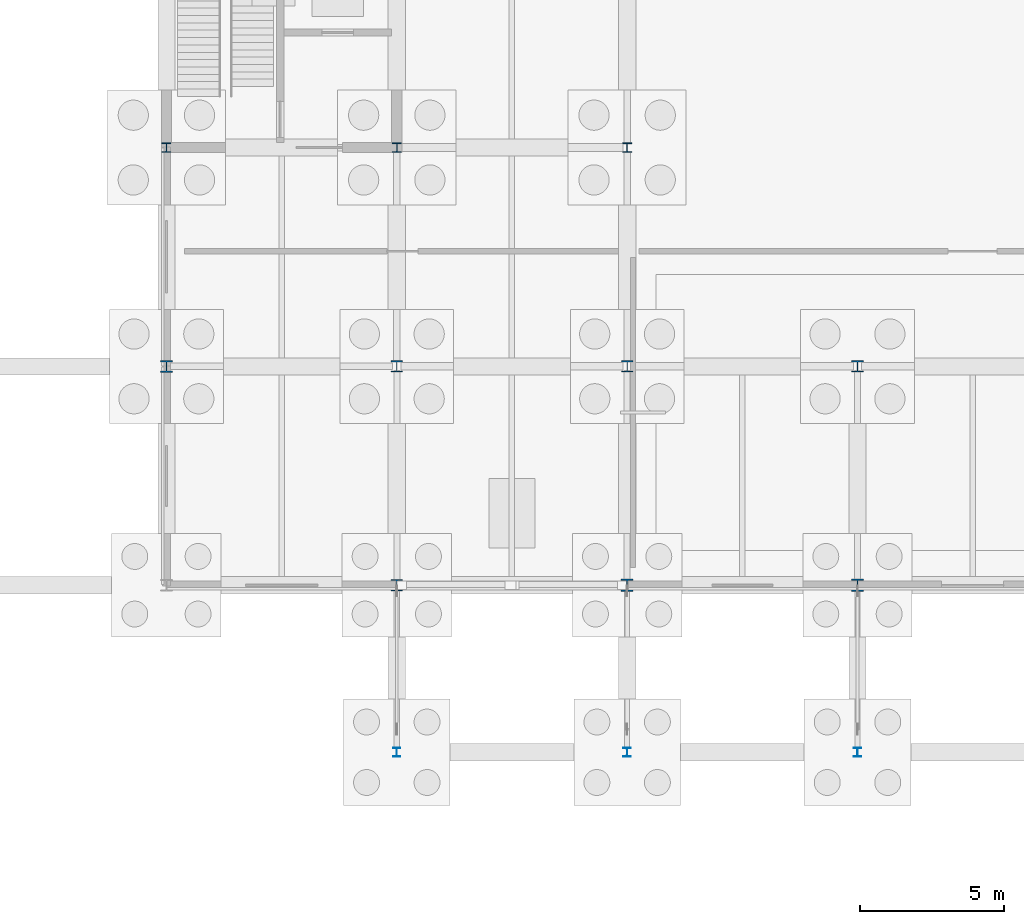
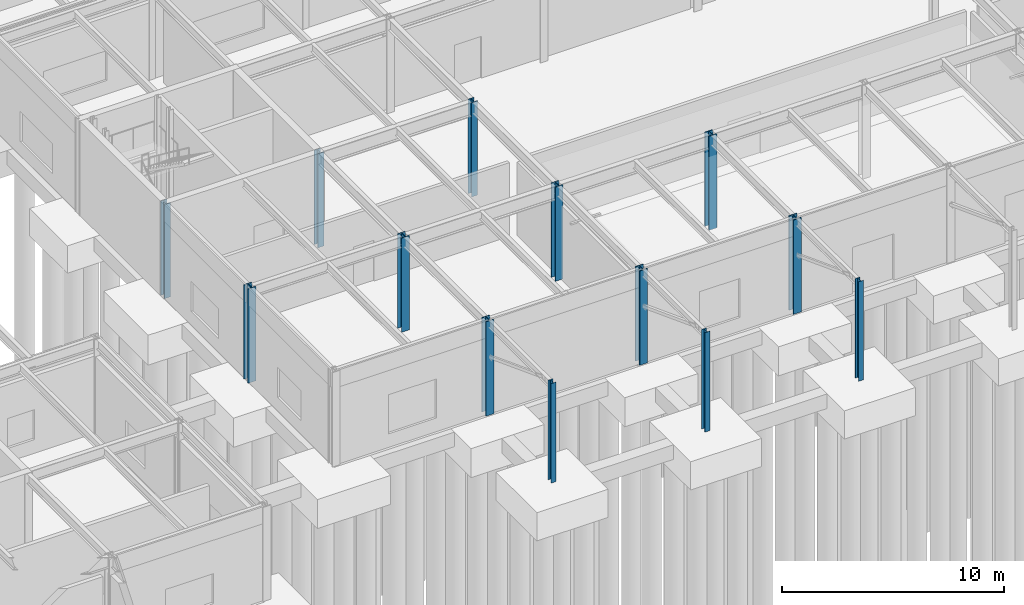
# One storey, part 15 of 62: 13 columns.
"""IFC4 building model written with IfcOpenShell, lengths in metres."""

from ifc_helpers import new_model, si_unit, direction, frame, origin, origin_2d, place, context, subcontext, project, spatial, i_section, extrude, material, material_profile, profile_set, type_object, element, save


model = new_model("IFC4")

# Units and contexts
model_context = context("Model", 3, precision=1e-05, world=origin(), true_north=direction((0.0, 1.0)))
body_context = subcontext(model_context, "Body", "Model", "MODEL_VIEW")
ifc_project = project(units=[si_unit("LENGTHUNIT", "METRE"), si_unit("AREAUNIT", "SQUARE_METRE"), si_unit("VOLUMEUNIT", "CUBIC_METRE"), si_unit("PLANEANGLEUNIT", "RADIAN"), si_unit("MASSUNIT", "GRAM", prefix="KILO")], contexts=[model_context])

# Site, building, storey
site_placement = place(None, origin())
site = spatial("IfcSite", under=ifc_project, at=site_placement, CompositionType="ELEMENT")
building_placement = place(site_placement, origin())
building = spatial("IfcBuilding", under=site, at=building_placement, Name="Zulena Civic Courthouse", CompositionType="ELEMENT")
storey_placement = place(building_placement, origin())
storey = spatial("IfcBuildingStorey", under=building, at=storey_placement, Name="L00", CompositionType="ELEMENT", Elevation=0.0)

# Columns
ifc_material = material(Name="Steel ASTM A992 Grade 50", Category="steel")
ifc_material_profile_1 = material_profile(ifc_material, i_section(OverallWidth=0.31298828125, OverallDepth=0.3330078125, WebThickness=0.01806640625, FlangeThickness=0.0283203125, FilletRadius=0.01513671875, at=origin_2d()), Name="W12X120")
ifc_profile_set_1 = profile_set([ifc_material_profile_1], Name="Steel ASTM A992 Grade 50")
column_type_1 = type_object("IfcColumnType", Name="Col_W12X120", PredefinedType="COLUMN", material=ifc_profile_set_1)
for number, where, z_axis, x_axis, name in (
    (1, (68.0, 30.39990234375, 0.0), (0.0, 0.0, 1.0), (1.0, 0.0, 0.0), "col:V4:L00:68.0:30.4"),
    (2, (76.0, 30.39990234375, 0.0), (0.0, 0.0, 1.0), (1.0, 0.0, 0.0), "col:V4:L00:76.0:30.4"),
    (3, (84.0, 30.39990234375, 0.0), (0.0, 0.0, 1.0), (1.0, 0.0, 0.0), "col:V4:L00:84.0:30.4"),
):
    element("IfcColumn", number, at=place(storey_placement, frame(where, z_axis=z_axis, x_axis=x_axis)), inside=storey, type_object=column_type_1, Name=name, PredefinedType="COLUMN", context=body_context, shape_type="SweptSolid", body=[
        extrude(i_section(OverallWidth=0.31298828125, OverallDepth=0.3330078125, WebThickness=0.01806640625, FlangeThickness=0.0283203125, FilletRadius=0.01513671875, at=origin_2d()), origin(), (0.0, 0.0, 1.0), 5.18505859375),
    ])
ifc_material_profile_2 = material_profile(ifc_material, i_section(OverallWidth=0.25390625, OverallDepth=0.305908203125, WebThickness=0.0087890625, FlangeThickness=0.0146484375, FilletRadius=0.01513671875, at=origin_2d()), Name="W12X53")
ifc_profile_set_2 = profile_set([ifc_material_profile_2], Name="Steel ASTM A992 Grade 50")
column_type_2 = type_object("IfcColumnType", Name="Col_W12X53", PredefinedType="COLUMN", material=ifc_profile_set_2)
for number, where, z_axis, x_axis, name in (
    (4, (76.0, 9.39990234375, -0.22998046875), (0.0, 0.0, 1.0), (1.0, 0.0, 0.0), "col:canopy:76.0"),
    (5, (84.0, 9.39990234375, -0.22998046875), (0.0, 0.0, 1.0), (1.0, 0.0, 0.0), "col:canopy:84.0"),
    (6, (92.0, 9.39990234375, -0.22998046875), (0.0, 0.0, 1.0), (1.0, 0.0, 0.0), "col:canopy:92.0"),
):
    element("IfcColumn", number, at=place(storey_placement, frame(where, z_axis=z_axis, x_axis=x_axis)), inside=storey, type_object=column_type_2, Name=name, PredefinedType="COLUMN", context=body_context, shape_type="SweptSolid", body=[
        extrude(i_section(OverallWidth=0.25390625, OverallDepth=0.305908203125, WebThickness=0.0087890625, FlangeThickness=0.0146484375, FilletRadius=0.01513671875, at=origin_2d()), origin(), (0.0, 0.0, 1.0), 5.47509765625),
    ])
ifc_material_profile_3 = material_profile(ifc_material, i_section(OverallWidth=0.40087890625, OverallDepth=0.39892578125, WebThickness=0.02490234375, FlangeThickness=0.03955078125, FilletRadius=0.01513671875, at=origin_2d()), Name="W14X211")
ifc_profile_set_3 = profile_set([ifc_material_profile_3], Name="Steel ASTM A992 Grade 50")
column_type_3 = type_object("IfcColumnType", Name="Col_W14X211", PredefinedType="COLUMN", material=ifc_profile_set_3)
for number, where, z_axis, x_axis, name in (
    (7, (76.0, 22.800048828125, 0.0), (0.0, 0.0, 1.0), (1.0, 0.0, 0.0), "col:V4:L00:76.0:22.8"),
    (8, (84.0, 22.800048828125, 0.0), (0.0, 0.0, 1.0), (1.0, 0.0, 0.0), "col:V4:L00:84.0:22.8"),
    (9, (92.0, 22.800048828125, 0.0), (0.0, 0.0, 1.0), (1.0, 0.0, 0.0), "col:V4:L00:92.0:22.8"),
):
    element("IfcColumn", number, at=place(storey_placement, frame(where, z_axis=z_axis, x_axis=x_axis)), inside=storey, type_object=column_type_3, Name=name, PredefinedType="COLUMN", context=body_context, shape_type="SweptSolid", body=[
        extrude(i_section(OverallWidth=0.40087890625, OverallDepth=0.39892578125, WebThickness=0.02490234375, FlangeThickness=0.03955078125, FilletRadius=0.01513671875, at=origin_2d()), origin(), (0.0, 0.0, 1.0), 5.18505859375),
    ])
ifc_material_profile_4 = material_profile(ifc_material, i_section(OverallWidth=0.406005859375, OverallDepth=0.416015625, WebThickness=0.02978515625, FlangeThickness=0.048095703125, FilletRadius=0.01513671875, at=origin_2d()), Name="W14X257")
ifc_profile_set_4 = profile_set([ifc_material_profile_4], Name="Steel ASTM A992 Grade 50")
column_type_4 = type_object("IfcColumnType", Name="Col_W14X257", PredefinedType="COLUMN", material=ifc_profile_set_4)
for number, where, z_axis, x_axis, name in (
    (10, (68.0, 22.800048828125, 0.0), (0.0, 0.0, 1.0), (1.0, 0.0, 0.0), "col:V4:L00:68.0:22.8"),
    (11, (76.0, 15.199951171875, 0.0), (0.0, 0.0, 1.0), (1.0, 0.0, 0.0), "col:V4:L00:76.0:15.2"),
):
    element("IfcColumn", number, at=place(storey_placement, frame(where, z_axis=z_axis, x_axis=x_axis)), inside=storey, type_object=column_type_4, Name=name, PredefinedType="COLUMN", context=body_context, shape_type="SweptSolid", body=[
        extrude(i_section(OverallWidth=0.406005859375, OverallDepth=0.416015625, WebThickness=0.02978515625, FlangeThickness=0.048095703125, FilletRadius=0.01513671875, at=origin_2d()), origin(), (0.0, 0.0, 1.0), 5.18505859375),
    ])
ifc_material_profile_5 = material_profile(ifc_material, i_section(OverallWidth=0.412109375, OverallDepth=0.43505859375, WebThickness=0.035888671875, FlangeThickness=0.057373046875, FilletRadius=0.01513671875, at=origin_2d()), Name="W14X311")
ifc_profile_set_5 = profile_set([ifc_material_profile_5], Name="Steel ASTM A992 Grade 50")
column_type_5 = type_object("IfcColumnType", Name="Col_W14X311", PredefinedType="COLUMN", material=ifc_profile_set_5)
for number, where, z_axis, x_axis, name in (
    (12, (84.0, 15.199951171875, 0.0), (0.0, 0.0, 1.0), (1.0, 0.0, 0.0), "col:V4:L00:84.0:15.2"),
    (13, (92.0, 15.199951171875, 0.0), (0.0, 0.0, 1.0), (1.0, 0.0, 0.0), "col:V4:L00:92.0:15.2"),
):
    element("IfcColumn", number, at=place(storey_placement, frame(where, z_axis=z_axis, x_axis=x_axis)), inside=storey, type_object=column_type_5, Name=name, PredefinedType="COLUMN", context=body_context, shape_type="SweptSolid", body=[
        extrude(i_section(OverallWidth=0.412109375, OverallDepth=0.43505859375, WebThickness=0.035888671875, FlangeThickness=0.057373046875, FilletRadius=0.01513671875, at=origin_2d()), origin(), (0.0, 0.0, 1.0), 5.18505859375),
    ])

save(model, "model.ifc")
